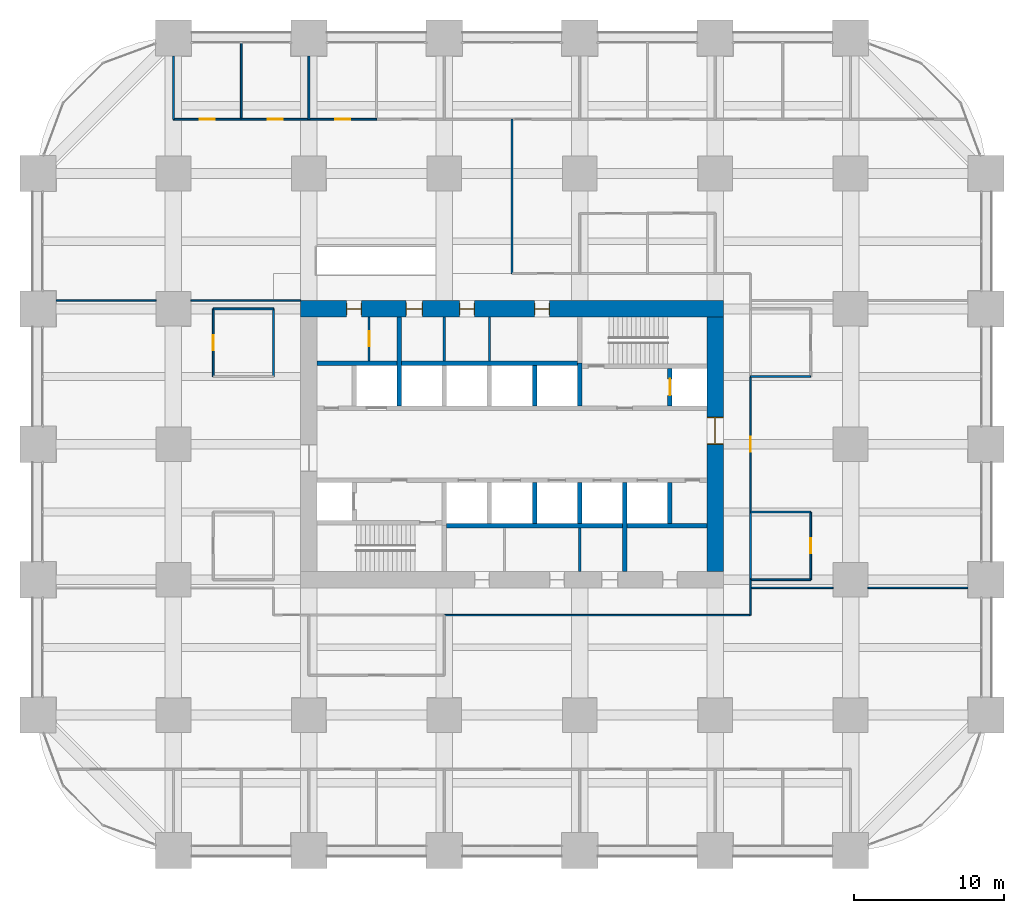
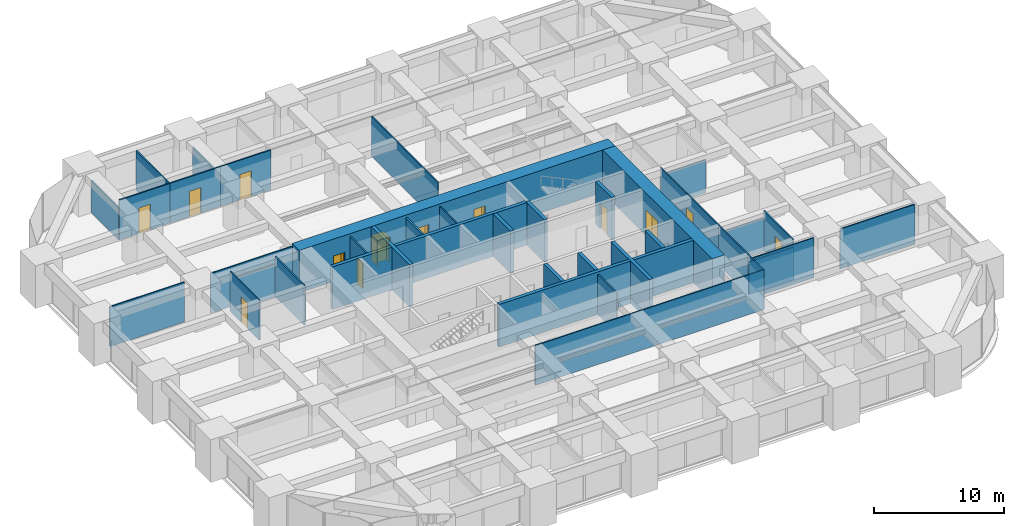
# One storey, part 41 of 44: 38 walls, 13 doors, 13 openings.
"""IFC4 building model written with IfcOpenShell, lengths in metres."""

from ifc_helpers import new_model, si_unit, direction, frame, frame_2d, origin, place, context, subcontext, project, spatial, rectangle, extrude, material, layer, layer_set, type_object, element, fill, save


model = new_model("IFC4")

# Units and contexts
model_context = context("Model", 3, precision=1e-05, world=origin(), true_north=direction((0.0, 1.0)))
body_context = subcontext(model_context, "Body", "Model", "MODEL_VIEW")
ifc_project = project(units=[si_unit("LENGTHUNIT", "METRE"), si_unit("AREAUNIT", "SQUARE_METRE"), si_unit("VOLUMEUNIT", "CUBIC_METRE"), si_unit("PLANEANGLEUNIT", "RADIAN"), si_unit("MASSUNIT", "GRAM", prefix="KILO")], contexts=[model_context])

# Site, building, storey
site_placement = place(None, origin())
site = spatial("IfcSite", under=ifc_project, at=site_placement, CompositionType="ELEMENT")
building_placement = place(site_placement, origin())
building = spatial("IfcBuilding", under=site, at=building_placement, Name="Zorevar Civic Tower", CompositionType="ELEMENT")
storey_placement = place(building_placement, frame((0.0, 0.0, 43.800048828125)))
storey = spatial("IfcBuildingStorey", under=building, at=storey_placement, Name="L10", CompositionType="ELEMENT", Elevation=43.800048828125)

# Wall, openings, doors
ifc_material_1 = material(Name="Concrete C50/60", Category="concrete")
ifc_layer_1 = layer(ifc_material_1, 1.10009765625)
ifc_layer_set_1 = layer_set([ifc_layer_1], Name="Core wall 1100")
wall_type_1 = type_object("IfcWallType", Name="Core wall 1100", PredefinedType="SHEAR", material=ifc_layer_set_1)
wall_1_placement = place(storey_placement, frame((45.550048828125, 36.0, 0.0), z_axis=(0.0, 0.0, 1.0), x_axis=(-1.0, 0.0, 0.0)))
wall_1 = element("IfcWall", 1, at=wall_1_placement, inside=storey, type_object=wall_type_1, Name="Core wall N L10", PredefinedType="SHEAR", context=body_context, shape_type="SweptSolid", body=[
    extrude(rectangle(XDim=28.10009765625, YDim=1.10009765625, at=frame_2d((14.050048828125, 0.0))), origin(), (0.0, 0.0, 1.0), 4.0),
])
opening_1_placement = place(wall_1_placement, frame((11.550048828125, 0.0, 0.0)))
opening_1 = element("IfcOpeningElement", 2, at=opening_1_placement, cuts=wall_1, Name="Opening L10.07", PredefinedType="OPENING", context=body_context, shape_type="SweptSolid", body=[
    extrude(rectangle(XDim=1.0, YDim=2.39990234375, at=frame_2d((0.5, 1.199951171875))), frame((0.0, 0.56005859375, 0.0), z_axis=(0.0, -1.0, 0.0), x_axis=(1.0, 0.0, 0.0)), (0.0, 0.0, 1.0), 1.1201171875),
])
opening_2_placement = place(wall_1_placement, frame((16.550048828125, 0.0, 0.0)))
opening_2 = element("IfcOpeningElement", 3, at=opening_2_placement, cuts=wall_1, Name="Opening L10.08", PredefinedType="OPENING", context=body_context, shape_type="SweptSolid", body=[
    extrude(rectangle(XDim=1.0, YDim=2.39990234375, at=frame_2d((0.5, 1.199951171875))), frame((0.0, 0.56005859375, 0.0), z_axis=(0.0, -1.0, 0.0), x_axis=(1.0, 0.0, 0.0)), (0.0, 0.0, 1.0), 1.1201171875),
])
opening_3_placement = place(wall_1_placement, frame((20.0, 0.0, 0.0)))
opening_3 = element("IfcOpeningElement", 4, at=opening_3_placement, cuts=wall_1, Name="Opening L10.09", PredefinedType="OPENING", context=body_context, shape_type="SweptSolid", body=[
    extrude(rectangle(XDim=1.10009765625, YDim=2.39990234375, at=frame_2d((0.550048828125, 1.199951171875))), frame((0.0, 0.56005859375, 0.0), z_axis=(0.0, -1.0, 0.0), x_axis=(1.0, 0.0, 0.0)), (0.0, 0.0, 1.0), 1.1201171875),
])
opening_4_placement = place(wall_1_placement, frame((24.050048828125, 0.0, 0.0)))
opening_4 = element("IfcOpeningElement", 5, at=opening_4_placement, cuts=wall_1, Name="Opening L10.10", PredefinedType="OPENING", context=body_context, shape_type="SweptSolid", body=[
    extrude(rectangle(XDim=1.0, YDim=2.39990234375, at=frame_2d((0.5, 1.199951171875))), frame((0.0, 0.56005859375, 0.0), z_axis=(0.0, -1.0, 0.0), x_axis=(1.0, 0.0, 0.0)), (0.0, 0.0, 1.0), 1.1201171875),
])
ifc_material_2 = material(Name="Timber door set", Category="wood")
door_type_1 = type_object("IfcDoorType", Name="Door D1 1000x2400", OperationType="SINGLE_SWING_LEFT", PredefinedType="DOOR", material=ifc_material_2)
door_1_placement = place(opening_1_placement, origin())
door_1 = element("IfcDoor", 6, at=door_1_placement, inside=storey, type_object=door_type_1, Name="Door L10 06", OperationType="SINGLE_SWING_RIGHT", OverallHeight=2.39990234375, OverallWidth=1.0, PredefinedType="DOOR", context=body_context, shape_type="SweptSolid", body=[
    extrude(rectangle(XDim=1.0, YDim=2.39990234375, at=frame_2d((0.5, 1.199951171875))), frame((0.0, 0.02490234375, 0.0), z_axis=(0.0, -1.0, 0.0), x_axis=(1.0, 0.0, 0.0)), (0.0, 0.0, 1.0), 0.050048828125),
    extrude(rectangle(XDim=0.04, YDim=2.39990234375, at=frame_2d((0.02001953125, 1.199951171875))), frame((0.0, 0.39990234375, 0.0), z_axis=(0.0, -1.0, 0.0), x_axis=(1.0, 0.0, 0.0)), (0.0, 0.0, 1.0), 0.800048828125),
    extrude(rectangle(XDim=0.04, YDim=2.39990234375, at=frame_2d((0.97998046875, 1.199951171875))), frame((0.0, 0.39990234375, 0.0), z_axis=(0.0, -1.0, 0.0), x_axis=(1.0, 0.0, 0.0)), (0.0, 0.0, 1.0), 0.800048828125),
    extrude(rectangle(XDim=1.0, YDim=0.04, at=frame_2d((0.5, 2.3798828125))), frame((0.0, 0.39990234375, 0.0), z_axis=(0.0, -1.0, 0.0), x_axis=(1.0, 0.0, 0.0)), (0.0, 0.0, 1.0), 0.800048828125),
])
fill(opening_1, door_1)
door_2_placement = place(opening_2_placement, origin())
door_2 = element("IfcDoor", 7, at=door_2_placement, inside=storey, type_object=door_type_1, Name="Door L10 07", OperationType="SINGLE_SWING_LEFT", OverallHeight=2.39990234375, OverallWidth=1.0, PredefinedType="DOOR", context=body_context, shape_type="SweptSolid", body=[
    extrude(rectangle(XDim=1.0, YDim=2.39990234375, at=frame_2d((0.5, 1.199951171875))), frame((0.0, 0.02490234375, 0.0), z_axis=(0.0, -1.0, 0.0), x_axis=(1.0, 0.0, 0.0)), (0.0, 0.0, 1.0), 0.050048828125),
    extrude(rectangle(XDim=0.04, YDim=2.39990234375, at=frame_2d((0.02001953125, 1.199951171875))), frame((0.0, 0.39990234375, 0.0), z_axis=(0.0, -1.0, 0.0), x_axis=(1.0, 0.0, 0.0)), (0.0, 0.0, 1.0), 0.800048828125),
    extrude(rectangle(XDim=0.04, YDim=2.39990234375, at=frame_2d((0.97998046875, 1.199951171875))), frame((0.0, 0.39990234375, 0.0), z_axis=(0.0, -1.0, 0.0), x_axis=(1.0, 0.0, 0.0)), (0.0, 0.0, 1.0), 0.800048828125),
    extrude(rectangle(XDim=1.0, YDim=0.04, at=frame_2d((0.5, 2.3798828125))), frame((0.0, 0.39990234375, 0.0), z_axis=(0.0, -1.0, 0.0), x_axis=(1.0, 0.0, 0.0)), (0.0, 0.0, 1.0), 0.800048828125),
])
fill(opening_2, door_2)
door_3_placement = place(opening_4_placement, origin())
door_3 = element("IfcDoor", 8, at=door_3_placement, inside=storey, type_object=door_type_1, Name="Door L10 09", OperationType="SINGLE_SWING_LEFT", OverallHeight=2.39990234375, OverallWidth=1.0, PredefinedType="DOOR", context=body_context, shape_type="SweptSolid", body=[
    extrude(rectangle(XDim=1.0, YDim=2.39990234375, at=frame_2d((0.5, 1.199951171875))), frame((0.0, 0.02490234375, 0.0), z_axis=(0.0, -1.0, 0.0), x_axis=(1.0, 0.0, 0.0)), (0.0, 0.0, 1.0), 0.050048828125),
    extrude(rectangle(XDim=0.04, YDim=2.39990234375, at=frame_2d((0.02001953125, 1.199951171875))), frame((0.0, 0.39990234375, 0.0), z_axis=(0.0, -1.0, 0.0), x_axis=(1.0, 0.0, 0.0)), (0.0, 0.0, 1.0), 0.800048828125),
    extrude(rectangle(XDim=0.04, YDim=2.39990234375, at=frame_2d((0.97998046875, 1.199951171875))), frame((0.0, 0.39990234375, 0.0), z_axis=(0.0, -1.0, 0.0), x_axis=(1.0, 0.0, 0.0)), (0.0, 0.0, 1.0), 0.800048828125),
    extrude(rectangle(XDim=1.0, YDim=0.04, at=frame_2d((0.5, 2.3798828125))), frame((0.0, 0.39990234375, 0.0), z_axis=(0.0, -1.0, 0.0), x_axis=(1.0, 0.0, 0.0)), (0.0, 0.0, 1.0), 0.800048828125),
])
fill(opening_4, door_3)
ifc_material_3 = material(Name="Timber door set", Category="wood")
door_type_2 = type_object("IfcDoorType", Name="Door D5 1100x2400", OperationType="SINGLE_SWING_LEFT", PredefinedType="DOOR", material=ifc_material_3)
door_4_placement = place(opening_3_placement, origin())
door_4 = element("IfcDoor", 9, at=door_4_placement, inside=storey, type_object=door_type_2, Name="Door L10 08", OperationType="SINGLE_SWING_LEFT", OverallHeight=2.39990234375, OverallWidth=1.10009765625, PredefinedType="DOOR", context=body_context, shape_type="SweptSolid", body=[
    extrude(rectangle(XDim=1.10009765625, YDim=2.39990234375, at=frame_2d((0.550048828125, 1.199951171875))), frame((0.0, 0.02490234375, 0.0), z_axis=(0.0, -1.0, 0.0), x_axis=(1.0, 0.0, 0.0)), (0.0, 0.0, 1.0), 0.050048828125),
    extrude(rectangle(XDim=0.04, YDim=2.39990234375, at=frame_2d((0.02001953125, 1.199951171875))), frame((0.0, 0.43994140625, 0.0), z_axis=(0.0, -1.0, 0.0), x_axis=(1.0, 0.0, 0.0)), (0.0, 0.0, 1.0), 0.880126953125),
    extrude(rectangle(XDim=0.04, YDim=2.39990234375, at=frame_2d((1.080078125, 1.199951171875))), frame((0.0, 0.43994140625, 0.0), z_axis=(0.0, -1.0, 0.0), x_axis=(1.0, 0.0, 0.0)), (0.0, 0.0, 1.0), 0.880126953125),
    extrude(rectangle(XDim=1.10009765625, YDim=0.04, at=frame_2d((0.550048828125, 2.3798828125))), frame((0.0, 0.43994140625, 0.0), z_axis=(0.0, -1.0, 0.0), x_axis=(1.0, 0.0, 0.0)), (0.0, 0.0, 1.0), 0.880126953125),
])
fill(opening_3, door_4)

# Wall, opening, door
wall_2_placement = place(storey_placement, frame((45.0, 18.550048828125, 0.0), z_axis=(0.0, 0.0, 1.0), x_axis=(0.0, 1.0, 0.0)))
wall_2 = element("IfcWall", 10, at=wall_2_placement, inside=storey, type_object=wall_type_1, Name="Core wall E L10", PredefinedType="SHEAR", context=body_context, shape_type="SweptSolid", body=[
    extrude(rectangle(XDim=16.89990234375, YDim=1.10009765625, at=frame_2d((8.449951171875, 0.0))), origin(), (0.0, 0.0, 1.0), 4.0),
])
opening_5_placement = place(wall_2_placement, frame((8.449951171875, 0.0, 0.0)))
opening_5 = element("IfcOpeningElement", 11, at=opening_5_placement, cuts=wall_2, Name="Opening L10.02", PredefinedType="OPENING", context=body_context, shape_type="SweptSolid", body=[
    extrude(rectangle(XDim=1.800048828125, YDim=2.39990234375, at=frame_2d((0.89990234375, 1.199951171875))), frame((0.0, 0.56005859375, 0.0), z_axis=(0.0, -1.0, 0.0), x_axis=(1.0, 0.0, 0.0)), (0.0, 0.0, 1.0), 1.1201171875),
])
ifc_material_4 = material(Name="Steel door set", Category="steel")
door_type_3 = type_object("IfcDoorType", Name="Fire door FD2 1800x2400", OperationType="DOUBLE_DOOR_DOUBLE_SWING", PredefinedType="DOOR", material=ifc_material_4)
door_5_placement = place(opening_5_placement, origin())
door_5 = element("IfcDoor", 12, at=door_5_placement, inside=storey, type_object=door_type_3, Name="Door L10 01", OperationType="DOUBLE_DOOR_DOUBLE_SWING", OverallHeight=2.39990234375, OverallWidth=1.800048828125, PredefinedType="DOOR", context=body_context, shape_type="SweptSolid", body=[
    extrude(rectangle(XDim=1.800048828125, YDim=2.39990234375, at=frame_2d((0.89990234375, 1.199951171875))), frame((0.0, 0.030029296875, 0.0), z_axis=(0.0, -1.0, 0.0), x_axis=(1.0, 0.0, 0.0)), (0.0, 0.0, 1.0), 0.06005859375),
    extrude(rectangle(XDim=0.04, YDim=2.39990234375, at=frame_2d((0.02001953125, 1.199951171875))), frame((0.0, 0.5498046875, 0.0), z_axis=(0.0, -1.0, 0.0), x_axis=(1.0, 0.0, 0.0)), (0.0, 0.0, 1.0), 1.099609375),
    extrude(rectangle(XDim=0.04, YDim=2.39990234375, at=frame_2d((1.780029296875, 1.199951171875))), frame((0.0, 0.5498046875, 0.0), z_axis=(0.0, -1.0, 0.0), x_axis=(1.0, 0.0, 0.0)), (0.0, 0.0, 1.0), 1.099609375),
    extrude(rectangle(XDim=1.800048828125, YDim=0.04, at=frame_2d((0.89990234375, 2.3798828125))), frame((0.0, 0.5498046875, 0.0), z_axis=(0.0, -1.0, 0.0), x_axis=(1.0, 0.0, 0.0)), (0.0, 0.0, 1.0), 1.099609375),
])
fill(opening_5, door_5)

# Walls
ifc_material_5 = material(Name="Laminated glass in black aluminium frame", Category="aluminium")
ifc_layer_2 = layer(ifc_material_5, 0.10009765625)
ifc_layer_set_2 = layer_set([ifc_layer_2], Name="Glazed partition 100")
wall_type_2 = type_object("IfcWallType", Name="Glazed partition 100", PredefinedType="PARTITIONING", material=ifc_layer_set_2)
wall_3_placement = place(storey_placement, frame((27.0, 15.64990234375, 0.0), z_axis=(0.0, 0.0, 1.0), x_axis=(1.0, 0.0, 0.0)))
element("IfcWall", 13, at=wall_3_placement, inside=storey, type_object=wall_type_2, Name="Glazed partition 100 L10", PredefinedType="PARTITIONING", context=body_context, shape_type="SweptSolid", body=[
    extrude(rectangle(XDim=20.35009765625, YDim=0.10009765625, at=frame_2d((10.175048828125, 0.0))), origin(), (0.0, 0.0, 1.0), 3.75),
])
wall_4_placement = place(storey_placement, frame((47.35009765625, 17.449951171875, 0.0), z_axis=(0.0, 0.0, 1.0), x_axis=(1.0, 0.0, 0.0)))
element("IfcWall", 14, at=wall_4_placement, inside=storey, type_object=wall_type_2, Name="Glazed partition 100 L10", PredefinedType="PARTITIONING", context=body_context, shape_type="SweptSolid", body=[
    extrude(rectangle(XDim=5.5, YDim=0.10009765625, at=frame_2d((2.75, 0.0))), origin(), (0.0, 0.0, 1.0), 3.75),
])
for number, where, z_axis, x_axis, name in (
    (15, (55.14990234375, 17.449951171875, 0.0), (0.0, 0.0, 1.0), (1.0, 0.0, 0.0), "Glazed partition 100 L10"),
    (16, (1.199951171875, 36.550048828125, 0.0), (0.0, 0.0, 1.0), (1.0, 0.0, 0.0), "Glazed partition 100 L10"),
):
    element("IfcWall", number, at=place(storey_placement, frame(where, z_axis=z_axis, x_axis=x_axis)), inside=storey, type_object=wall_type_2, Name=name, PredefinedType="PARTITIONING", context=body_context, shape_type="SweptSolid", body=[
        extrude(rectangle(XDim=6.650146484375, YDim=0.10009765625, at=frame_2d((3.3251953125, 0.0))), origin(), (0.0, 0.0, 1.0), 3.75),
    ])
wall_5_placement = place(storey_placement, frame((10.14990234375, 36.550048828125, 0.0), z_axis=(0.0, 0.0, 1.0), x_axis=(1.0, 0.0, 0.0)))
element("IfcWall", 17, at=wall_5_placement, inside=storey, type_object=wall_type_2, Name="Glazed partition 100 L10", PredefinedType="PARTITIONING", context=body_context, shape_type="SweptSolid", body=[
    extrude(rectangle(XDim=7.300048828125, YDim=0.10009765625, at=frame_2d((3.64990234375, 0.0))), origin(), (0.0, 0.0, 1.0), 3.75),
])
wall_6_placement = place(storey_placement, frame((31.5, 38.35009765625, 0.0), z_axis=(0.0, 0.0, 1.0), x_axis=(0.0, 1.0, 0.0)))
element("IfcWall", 18, at=wall_6_placement, inside=storey, type_object=wall_type_2, Name="Glazed partition 100 L10", PredefinedType="PARTITIONING", context=body_context, shape_type="SweptSolid", body=[
    extrude(rectangle(XDim=10.260009765625, YDim=0.10009765625, at=frame_2d((5.1298828125, 0.0))), origin(), (0.0, 0.0, 1.0), 3.75),
])
wall_7_placement = place(storey_placement, frame((47.35009765625, 15.64990234375, 0.0), z_axis=(0.0, 0.0, 1.0), x_axis=(0.0, 1.0, 0.0)))
element("IfcWall", 19, at=wall_7_placement, inside=storey, type_object=wall_type_2, Name="Glazed partition 100 L10", PredefinedType="PARTITIONING", context=body_context, shape_type="SweptSolid", body=[
    extrude(rectangle(XDim=2.35009765625, YDim=0.10009765625, at=frame_2d((1.175048828125, 0.0))), origin(), (0.0, 0.0, 1.0), 3.75),
])

# Wall, opening, door
wall_8_placement = place(storey_placement, frame((47.35009765625, 22.5, 0.0), z_axis=(0.0, 0.0, 1.0), x_axis=(0.0, 1.0, 0.0)))
wall_8 = element("IfcWall", 20, at=wall_8_placement, inside=storey, type_object=wall_type_2, Name="Glazed partition 100 L10", PredefinedType="PARTITIONING", context=body_context, shape_type="SweptSolid", body=[
    extrude(rectangle(XDim=9.0, YDim=0.10009765625, at=frame_2d((4.5, 0.0))), origin(), (0.0, 0.0, 1.0), 3.75),
])
opening_6_placement = place(wall_8_placement, frame((4.0, 0.0, 0.0)))
opening_6 = element("IfcOpeningElement", 21, at=opening_6_placement, cuts=wall_8, Name="Opening L10.44", PredefinedType="OPENING", context=body_context, shape_type="SweptSolid", body=[
    extrude(rectangle(XDim=1.0, YDim=2.39990234375, at=frame_2d((0.5, 1.199951171875))), frame((0.0, 0.06005859375, 0.0), z_axis=(0.0, -1.0, 0.0), x_axis=(1.0, 0.0, 0.0)), (0.0, 0.0, 1.0), 0.1201171875),
])
ifc_material_6 = material(Name="Timber door set", Category="wood")
door_type_4 = type_object("IfcDoorType", Name="Glazed door GD1 1000x2400", OperationType="SINGLE_SWING_LEFT", PredefinedType="DOOR", material=ifc_material_6)
door_6_placement = place(opening_6_placement, origin())
door_6 = element("IfcDoor", 22, at=door_6_placement, inside=storey, type_object=door_type_4, Name="Door L10 D1", OperationType="SINGLE_SWING_RIGHT", OverallHeight=2.39990234375, OverallWidth=1.0, PredefinedType="DOOR", context=body_context, shape_type="SweptSolid", body=[
    extrude(rectangle(XDim=1.0, YDim=2.39990234375, at=frame_2d((0.5, 1.199951171875))), frame((0.0, 0.02001953125, 0.0), z_axis=(0.0, -1.0, 0.0), x_axis=(1.0, 0.0, 0.0)), (0.0, 0.0, 1.0), 0.0400390625),
])
fill(opening_6, door_6)

ifc_material_7 = material(Name="Concrete C40/50", Category="concrete")
ifc_layer_3 = layer(ifc_material_7, 0.300048828125)
ifc_layer_set_3 = layer_set([ifc_layer_3], Name="Inner core wall 300")
wall_type_3 = type_object("IfcWallType", Name="Inner core wall 300", PredefinedType="SHEAR", material=ifc_layer_set_3)
wall_9_placement = place(storey_placement, frame((42.0, 29.550048828125, 0.0), z_axis=(0.0, 0.0, 1.0), x_axis=(0.0, 1.0, 0.0)))
wall_9 = element("IfcWall", 23, at=wall_9_placement, inside=storey, type_object=wall_type_3, Name="Inner core wall N02 L10", PredefinedType="SHEAR", context=body_context, shape_type="SweptSolid", body=[
    extrude(rectangle(XDim=2.5, YDim=0.300048828125, at=frame_2d((1.25, 0.0))), origin(), (0.0, 0.0, 1.0), 4.0),
])
opening_7_placement = place(wall_9_placement, frame((0.699951171875, 0.0, 0.0)))
opening_7 = element("IfcOpeningElement", 24, at=opening_7_placement, cuts=wall_9, Name="Opening L10.FL2", PredefinedType="OPENING", context=body_context, shape_type="SweptSolid", body=[
    extrude(rectangle(XDim=1.10009765625, YDim=2.39990234375, at=frame_2d((0.550048828125, 1.199951171875))), frame((0.0, 0.159912109375, 0.0), z_axis=(0.0, -1.0, 0.0), x_axis=(1.0, 0.0, 0.0)), (0.0, 0.0, 1.0), 0.320068359375),
])
ifc_material_8 = material(Name="Steel door set", Category="steel")
door_type_5 = type_object("IfcDoorType", Name="Firefighting lift landing door LD3 1100x2400", OperationType="DOUBLE_DOOR_SLIDING", PredefinedType="DOOR", material=ifc_material_8)
door_7_placement = place(opening_7_placement, origin())
door_7 = element("IfcDoor", 25, at=door_7_placement, inside=storey, type_object=door_type_5, Name="Landing door FL2 L10", OperationType="DOUBLE_DOOR_SLIDING", OverallHeight=2.39990234375, OverallWidth=1.10009765625, PredefinedType="DOOR", context=body_context, shape_type="SweptSolid", body=[
    extrude(rectangle(XDim=1.10009765625, YDim=2.39990234375, at=frame_2d((0.550048828125, 1.199951171875))), frame((0.0, 0.030029296875, 0.0), z_axis=(0.0, -1.0, 0.0), x_axis=(1.0, 0.0, 0.0)), (0.0, 0.0, 1.0), 0.06005859375),
])
fill(opening_7, door_7)

# Walls
for number, where, z_axis, x_axis, name in (
    (26, (27.14990234375, 21.60009765625, 0.0), (0.0, 0.0, 1.0), (1.0, 0.0, 0.0), "Inner core wall S04 L10"),
    (27, (18.550048828125, 32.39990234375, 0.0), (0.0, 0.0, 1.0), (1.0, 0.0, 0.0), "Inner core wall N04 L10"),
):
    element("IfcWall", number, at=place(storey_placement, frame(where, z_axis=z_axis, x_axis=x_axis)), inside=storey, type_object=wall_type_3, Name=name, PredefinedType="SHEAR", context=body_context, shape_type="SweptSolid", body=[
        extrude(rectangle(XDim=17.300048828125, YDim=0.300048828125, at=frame_2d((8.64990234375, 0.0))), origin(), (0.0, 0.0, 1.0), 4.0),
    ])
for number, where, z_axis, x_axis, name in (
    (28, (33.0, 29.550048828125, 0.0), (0.0, 0.0, 1.0), (0.0, 1.0, 0.0), "Inner core wall N05 L10"),
    (29, (33.0, 21.75, 0.0), (0.0, 0.0, 1.0), (0.0, 1.0, 0.0), "Inner core wall S06 L10"),
    (30, (36.0, 21.75, 0.0), (0.0, 0.0, 1.0), (0.0, 1.0, 0.0), "Inner core wall S07 L10"),
):
    element("IfcWall", number, at=place(storey_placement, frame(where, z_axis=z_axis, x_axis=x_axis)), inside=storey, type_object=wall_type_3, Name=name, PredefinedType="SHEAR", context=body_context, shape_type="SweptSolid", body=[
        extrude(rectangle(XDim=2.699951171875, YDim=0.300048828125, at=frame_2d((1.35009765625, 0.0))), origin(), (0.0, 0.0, 1.0), 4.0),
    ])
for number, where, z_axis, x_axis, name in (
    (31, (39.0, 18.550048828125, 0.0), (0.0, 0.0, 1.0), (0.0, 1.0, 0.0), "Inner core wall S08 L10"),
    (32, (24.0, 29.550048828125, 0.0), (0.0, 0.0, 1.0), (0.0, 1.0, 0.0), "Inner core wall N08 L10"),
):
    element("IfcWall", number, at=place(storey_placement, frame(where, z_axis=z_axis, x_axis=x_axis)), inside=storey, type_object=wall_type_3, Name=name, PredefinedType="SHEAR", context=body_context, shape_type="SweptSolid", body=[
        extrude(rectangle(XDim=5.89990234375, YDim=0.300048828125, at=frame_2d((2.949951171875, 0.0))), origin(), (0.0, 0.0, 1.0), 4.0),
    ])
wall_10_placement = place(storey_placement, frame((42.0, 21.75, 0.0), z_axis=(0.0, 0.0, 1.0), x_axis=(0.0, 1.0, 0.0)))
element("IfcWall", 33, at=wall_10_placement, inside=storey, type_object=wall_type_3, Name="Inner core wall S09 L10", PredefinedType="SHEAR", context=body_context, shape_type="SweptSolid", body=[
    extrude(rectangle(XDim=2.699951171875, YDim=0.300048828125, at=frame_2d((1.35009765625, 0.0))), origin(), (0.0, 0.0, 1.0), 4.0),
])
wall_11_placement = place(storey_placement, frame((36.0, 29.550048828125, 0.0), z_axis=(0.0, 0.0, 1.0), x_axis=(0.0, 1.0, 0.0)))
element("IfcWall", 34, at=wall_11_placement, inside=storey, type_object=wall_type_3, Name="Inner core wall N10 L10", PredefinedType="SHEAR", context=body_context, shape_type="SweptSolid", body=[
    extrude(rectangle(XDim=2.849853515625, YDim=0.300048828125, at=frame_2d((1.4248046875, 0.0))), origin(), (0.0, 0.0, 1.0), 4.0),
])
ifc_material_9 = material(Name="Gypsum board on steel studs", Category="steel")
ifc_layer_4 = layer(ifc_material_9, 0.1201171875)
ifc_layer_set_4 = layer_set([ifc_layer_4], Name="Partition 120")
wall_type_4 = type_object("IfcWallType", Name="Partition 120", PredefinedType="PARTITIONING", material=ifc_layer_set_4)
wall_12_placement = place(storey_placement, frame((47.35009765625, 18.0, 0.0), z_axis=(0.0, 0.0, 1.0), x_axis=(1.0, 0.0, 0.0)))
element("IfcWall", 35, at=wall_12_placement, inside=storey, type_object=wall_type_4, Name="Partition 120 L10", PredefinedType="PARTITIONING", context=body_context, shape_type="SweptSolid", body=[
    extrude(rectangle(XDim=4.0, YDim=0.1201171875, at=frame_2d((2.0, 0.0))), origin(), (0.0, 0.0, 1.0), 3.050048828125),
])
for number, where, z_axis, x_axis, name in (
    (36, (47.35009765625, 22.5, 0.0), (0.0, 0.0, 1.0), (1.0, 0.0, 0.0), "Partition 120 L10"),
    (37, (47.35009765625, 31.5, 0.0), (0.0, 0.0, 1.0), (1.0, 0.0, 0.0), "Partition 120 L10"),
):
    element("IfcWall", number, at=place(storey_placement, frame(where, z_axis=z_axis, x_axis=x_axis)), inside=storey, type_object=wall_type_4, Name=name, PredefinedType="PARTITIONING", context=body_context, shape_type="SweptSolid", body=[
        extrude(rectangle(XDim=4.0, YDim=0.1201171875, at=frame_2d((2.0, 0.0))), origin(), (0.0, 0.0, 1.0), 3.099853515625),
    ])
wall_13_placement = place(storey_placement, frame((11.64990234375, 36.0, 0.0), z_axis=(0.0, 0.0, 1.0), x_axis=(1.0, 0.0, 0.0)))
element("IfcWall", 38, at=wall_13_placement, inside=storey, type_object=wall_type_4, Name="Partition 120 L10", PredefinedType="PARTITIONING", context=body_context, shape_type="SweptSolid", body=[
    extrude(rectangle(XDim=4.0, YDim=0.1201171875, at=frame_2d((2.0, 0.0))), origin(), (0.0, 0.0, 1.0), 3.050048828125),
])

# Wall, opening, door
wall_14_placement = place(storey_placement, frame((9.0, 48.60009765625, 0.0), z_axis=(0.0, 0.0, 1.0), x_axis=(1.0, 0.0, 0.0)))
wall_14 = element("IfcWall", 39, at=wall_14_placement, inside=storey, type_object=wall_type_4, Name="Partition 120 L10", PredefinedType="PARTITIONING", context=body_context, shape_type="SweptSolid", body=[
    extrude(rectangle(XDim=4.5, YDim=0.1201171875, at=frame_2d((2.25, 0.0))), origin(), (0.0, 0.0, 1.0), 3.75),
])
opening_8_placement = place(wall_14_placement, frame((1.75, 0.0, 0.0)))
opening_8 = element("IfcOpeningElement", 40, at=opening_8_placement, cuts=wall_14, Name="Opening L10.32", PredefinedType="OPENING", context=body_context, shape_type="SweptSolid", body=[
    extrude(rectangle(XDim=1.0, YDim=2.39990234375, at=frame_2d((0.5, 1.199951171875))), frame((0.0, 0.070068359375, 0.0), z_axis=(0.0, -1.0, 0.0), x_axis=(1.0, 0.0, 0.0)), (0.0, 0.0, 1.0), 0.14013671875),
])
door_8_placement = place(opening_8_placement, origin())
door_8 = element("IfcDoor", 41, at=door_8_placement, inside=storey, type_object=door_type_1, Name="Door L10 D1", OperationType="SINGLE_SWING_LEFT", OverallHeight=2.39990234375, OverallWidth=1.0, PredefinedType="DOOR", context=body_context, shape_type="SweptSolid", body=[
    extrude(rectangle(XDim=1.0, YDim=2.39990234375, at=frame_2d((0.5, 1.199951171875))), frame((0.0, 0.02490234375, 0.0), z_axis=(0.0, -1.0, 0.0), x_axis=(1.0, 0.0, 0.0)), (0.0, 0.0, 1.0), 0.050048828125),
])
fill(opening_8, door_8)

wall_15_placement = place(storey_placement, frame((13.5, 48.60009765625, 0.0), z_axis=(0.0, 0.0, 1.0), x_axis=(1.0, 0.0, 0.0)))
wall_15 = element("IfcWall", 42, at=wall_15_placement, inside=storey, type_object=wall_type_4, Name="Partition 120 L10", PredefinedType="PARTITIONING", context=body_context, shape_type="SweptSolid", body=[
    extrude(rectangle(XDim=4.5, YDim=0.1201171875, at=frame_2d((2.25, 0.0))), origin(), (0.0, 0.0, 1.0), 3.75),
])
opening_9_placement = place(wall_15_placement, frame((1.75, 0.0, 0.0)))
opening_9 = element("IfcOpeningElement", 43, at=opening_9_placement, cuts=wall_15, Name="Opening L10.33", PredefinedType="OPENING", context=body_context, shape_type="SweptSolid", body=[
    extrude(rectangle(XDim=1.0, YDim=2.39990234375, at=frame_2d((0.5, 1.199951171875))), frame((0.0, 0.070068359375, 0.0), z_axis=(0.0, -1.0, 0.0), x_axis=(1.0, 0.0, 0.0)), (0.0, 0.0, 1.0), 0.14013671875),
])
door_9_placement = place(opening_9_placement, origin())
door_9 = element("IfcDoor", 44, at=door_9_placement, inside=storey, type_object=door_type_1, Name="Door L10 D1", OperationType="SINGLE_SWING_LEFT", OverallHeight=2.39990234375, OverallWidth=1.0, PredefinedType="DOOR", context=body_context, shape_type="SweptSolid", body=[
    extrude(rectangle(XDim=1.0, YDim=2.39990234375, at=frame_2d((0.5, 1.199951171875))), frame((0.0, 0.02490234375, 0.0), z_axis=(0.0, -1.0, 0.0), x_axis=(1.0, 0.0, 0.0)), (0.0, 0.0, 1.0), 0.050048828125),
])
fill(opening_9, door_9)

wall_16_placement = place(storey_placement, frame((18.0, 48.60009765625, 0.0), z_axis=(0.0, 0.0, 1.0), x_axis=(1.0, 0.0, 0.0)))
wall_16 = element("IfcWall", 45, at=wall_16_placement, inside=storey, type_object=wall_type_4, Name="Partition 120 L10", PredefinedType="PARTITIONING", context=body_context, shape_type="SweptSolid", body=[
    extrude(rectangle(XDim=4.5, YDim=0.1201171875, at=frame_2d((2.25, 0.0))), origin(), (0.0, 0.0, 1.0), 3.75),
])
opening_10_placement = place(wall_16_placement, frame((1.75, 0.0, 0.0)))
opening_10 = element("IfcOpeningElement", 46, at=opening_10_placement, cuts=wall_16, Name="Opening L10.34", PredefinedType="OPENING", context=body_context, shape_type="SweptSolid", body=[
    extrude(rectangle(XDim=1.0, YDim=2.39990234375, at=frame_2d((0.5, 1.199951171875))), frame((0.0, 0.070068359375, 0.0), z_axis=(0.0, -1.0, 0.0), x_axis=(1.0, 0.0, 0.0)), (0.0, 0.0, 1.0), 0.14013671875),
])
door_10_placement = place(opening_10_placement, origin())
door_10 = element("IfcDoor", 47, at=door_10_placement, inside=storey, type_object=door_type_1, Name="Door L10 D1", OperationType="SINGLE_SWING_RIGHT", OverallHeight=2.39990234375, OverallWidth=1.0, PredefinedType="DOOR", context=body_context, shape_type="SweptSolid", body=[
    extrude(rectangle(XDim=1.0, YDim=2.39990234375, at=frame_2d((0.5, 1.199951171875))), frame((0.0, 0.02490234375, 0.0), z_axis=(0.0, -1.0, 0.0), x_axis=(1.0, 0.0, 0.0)), (0.0, 0.0, 1.0), 0.050048828125),
])
fill(opening_10, door_10)

# Wall
wall_17_placement = place(storey_placement, frame((9.0, 48.60009765625, 0.0), z_axis=(0.0, 0.0, 1.0), x_axis=(0.0, 1.0, 0.0)))
element("IfcWall", 48, at=wall_17_placement, inside=storey, type_object=wall_type_4, Name="Partition 120 L10", PredefinedType="PARTITIONING", context=body_context, shape_type="SweptSolid", body=[
    extrude(rectangle(XDim=4.199951171875, YDim=0.1201171875, at=frame_2d((2.10009765625, 0.0))), origin(), (0.0, 0.0, 1.0), 3.050048828125),
])

# Wall, opening, door
wall_18_placement = place(storey_placement, frame((11.64990234375, 31.5, 0.0), z_axis=(0.0, 0.0, 1.0), x_axis=(0.0, 1.0, 0.0)))
wall_18 = element("IfcWall", 49, at=wall_18_placement, inside=storey, type_object=wall_type_4, Name="Partition 120 L10", PredefinedType="PARTITIONING", context=body_context, shape_type="SweptSolid", body=[
    extrude(rectangle(XDim=4.5, YDim=0.1201171875, at=frame_2d((2.25, 0.0))), origin(), (0.0, 0.0, 1.0), 3.75),
])
opening_11_placement = place(wall_18_placement, frame((1.75, 0.0, 0.0)))
opening_11 = element("IfcOpeningElement", 50, at=opening_11_placement, cuts=wall_18, Name="Opening L10.43", PredefinedType="OPENING", context=body_context, shape_type="SweptSolid", body=[
    extrude(rectangle(XDim=1.0, YDim=2.39990234375, at=frame_2d((0.5, 1.199951171875))), frame((0.0, 0.070068359375, 0.0), z_axis=(0.0, -1.0, 0.0), x_axis=(1.0, 0.0, 0.0)), (0.0, 0.0, 1.0), 0.14013671875),
])
door_11_placement = place(opening_11_placement, origin())
door_11 = element("IfcDoor", 51, at=door_11_placement, inside=storey, type_object=door_type_1, Name="Door L10 D1", OperationType="SINGLE_SWING_LEFT", OverallHeight=2.39990234375, OverallWidth=1.0, PredefinedType="DOOR", context=body_context, shape_type="SweptSolid", body=[
    extrude(rectangle(XDim=1.0, YDim=2.39990234375, at=frame_2d((0.5, 1.199951171875))), frame((0.0, 0.02490234375, 0.0), z_axis=(0.0, -1.0, 0.0), x_axis=(1.0, 0.0, 0.0)), (0.0, 0.0, 1.0), 0.050048828125),
])
fill(opening_11, door_11)

# Walls
wall_19_placement = place(storey_placement, frame((13.5, 48.60009765625, 0.0), z_axis=(0.0, 0.0, 1.0), x_axis=(0.0, 1.0, 0.0)))
element("IfcWall", 52, at=wall_19_placement, inside=storey, type_object=wall_type_4, Name="Partition 120 L10", PredefinedType="PARTITIONING", context=body_context, shape_type="SweptSolid", body=[
    extrude(rectangle(XDim=5.08984375, YDim=0.1201171875, at=frame_2d((2.544921875, 0.0))), origin(), (0.0, 0.0, 1.0), 3.75),
])
wall_20_placement = place(storey_placement, frame((15.64990234375, 31.5, 0.0), z_axis=(0.0, 0.0, 1.0), x_axis=(0.0, 1.0, 0.0)))
element("IfcWall", 53, at=wall_20_placement, inside=storey, type_object=wall_type_4, Name="Partition 120 L10", PredefinedType="PARTITIONING", context=body_context, shape_type="SweptSolid", body=[
    extrude(rectangle(XDim=4.5, YDim=0.1201171875, at=frame_2d((2.25, 0.0))), origin(), (0.0, 0.0, 1.0), 3.75),
])
wall_21_placement = place(storey_placement, frame((18.0, 48.60009765625, 0.0), z_axis=(0.0, 0.0, 1.0), x_axis=(0.0, 1.0, 0.0)))
element("IfcWall", 54, at=wall_21_placement, inside=storey, type_object=wall_type_4, Name="Partition 120 L10", PredefinedType="PARTITIONING", context=body_context, shape_type="SweptSolid", body=[
    extrude(rectangle(XDim=4.199951171875, YDim=0.1201171875, at=frame_2d((2.10009765625, 0.0))), origin(), (0.0, 0.0, 1.0), 3.050048828125),
])
wall_22_placement = place(storey_placement, frame((47.35009765625, 18.0, 0.0), z_axis=(0.0, 0.0, 1.0), x_axis=(0.0, 1.0, 0.0)))
element("IfcWall", 55, at=wall_22_placement, inside=storey, type_object=wall_type_4, Name="Partition 120 L10", PredefinedType="PARTITIONING", context=body_context, shape_type="SweptSolid", body=[
    extrude(rectangle(XDim=4.5, YDim=0.1201171875, at=frame_2d((2.25, 0.0))), origin(), (0.0, 0.0, 1.0), 3.75),
])

# Wall, opening, door
wall_23_placement = place(storey_placement, frame((51.35009765625, 18.0, 0.0), z_axis=(0.0, 0.0, 1.0), x_axis=(0.0, 1.0, 0.0)))
wall_23 = element("IfcWall", 56, at=wall_23_placement, inside=storey, type_object=wall_type_4, Name="Partition 120 L10", PredefinedType="PARTITIONING", context=body_context, shape_type="SweptSolid", body=[
    extrude(rectangle(XDim=4.5, YDim=0.1201171875, at=frame_2d((2.25, 0.0))), origin(), (0.0, 0.0, 1.0), 3.75),
])
opening_12_placement = place(wall_23_placement, frame((1.75, 0.0, 0.0)))
opening_12 = element("IfcOpeningElement", 57, at=opening_12_placement, cuts=wall_23, Name="Opening L10.46", PredefinedType="OPENING", context=body_context, shape_type="SweptSolid", body=[
    extrude(rectangle(XDim=1.0, YDim=2.39990234375, at=frame_2d((0.5, 1.199951171875))), frame((0.0, 0.070068359375, 0.0), z_axis=(0.0, -1.0, 0.0), x_axis=(1.0, 0.0, 0.0)), (0.0, 0.0, 1.0), 0.14013671875),
])
door_12_placement = place(opening_12_placement, origin())
door_12 = element("IfcDoor", 58, at=door_12_placement, inside=storey, type_object=door_type_1, Name="Door L10 D1", OperationType="SINGLE_SWING_LEFT", OverallHeight=2.39990234375, OverallWidth=1.0, PredefinedType="DOOR", context=body_context, shape_type="SweptSolid", body=[
    extrude(rectangle(XDim=1.0, YDim=2.39990234375, at=frame_2d((0.5, 1.199951171875))), frame((0.0, 0.02490234375, 0.0), z_axis=(0.0, -1.0, 0.0), x_axis=(1.0, 0.0, 0.0)), (0.0, 0.0, 1.0), 0.050048828125),
])
fill(opening_12, door_12)

# Wall
wall_24_placement = place(storey_placement, frame((30.0, 32.550048828125, 0.0), z_axis=(0.0, 0.0, 1.0), x_axis=(0.0, 1.0, 0.0)))
element("IfcWall", 59, at=wall_24_placement, inside=storey, type_object=wall_type_4, Name="Partition L10", PredefinedType="PARTITIONING", context=body_context, shape_type="SweptSolid", body=[
    extrude(rectangle(XDim=2.89990234375, YDim=0.1201171875, at=frame_2d((1.449951171875, 0.0))), origin(), (0.0, 0.0, 1.0), 3.75),
])

# Wall, opening, door
wall_25_placement = place(storey_placement, frame((22.0, 32.550048828125, 0.0), z_axis=(0.0, 0.0, 1.0), x_axis=(0.0, 1.0, 0.0)))
wall_25 = element("IfcWall", 60, at=wall_25_placement, inside=storey, type_object=wall_type_4, Name="Partition L10", PredefinedType="PARTITIONING", context=body_context, shape_type="SweptSolid", body=[
    extrude(rectangle(XDim=2.89990234375, YDim=0.1201171875, at=frame_2d((1.449951171875, 0.0))), origin(), (0.0, 0.0, 1.0), 3.75),
])
opening_13_placement = place(wall_25_placement, frame((0.949951171875, 0.0, 0.0)))
opening_13 = element("IfcOpeningElement", 61, at=opening_13_placement, cuts=wall_25, Name="Opening L10.47", PredefinedType="OPENING", context=body_context, shape_type="SweptSolid", body=[
    extrude(rectangle(XDim=1.0, YDim=2.39990234375, at=frame_2d((0.5, 1.199951171875))), frame((0.0, 0.070068359375, 0.0), z_axis=(0.0, -1.0, 0.0), x_axis=(1.0, 0.0, 0.0)), (0.0, 0.0, 1.0), 0.14013671875),
])
ifc_material_10 = material(Name="Steel door set", Category="steel")
door_type_6 = type_object("IfcDoorType", Name="Fire door FD1 1000x2400", OperationType="SINGLE_SWING_LEFT", PredefinedType="DOOR", material=ifc_material_10)
door_13_placement = place(opening_13_placement, origin())
door_13 = element("IfcDoor", 62, at=door_13_placement, inside=storey, type_object=door_type_6, Name="Door L10 EN", OperationType="SINGLE_SWING_RIGHT", OverallHeight=2.39990234375, OverallWidth=1.0, PredefinedType="DOOR", context=body_context, shape_type="SweptSolid", body=[
    extrude(rectangle(XDim=1.0, YDim=2.39990234375, at=frame_2d((0.5, 1.199951171875))), frame((0.0, 0.030029296875, 0.0), z_axis=(0.0, -1.0, 0.0), x_axis=(1.0, 0.0, 0.0)), (0.0, 0.0, 1.0), 0.06005859375),
])
fill(opening_13, door_13)

# Walls
ifc_material_11 = material(Name="Gypsum board on steel studs, moisture resistant", Category="steel")
ifc_layer_5 = layer(ifc_material_11, 0.14990234375)
ifc_layer_set_5 = layer_set([ifc_layer_5], Name="WC partition 150")
wall_type_5 = type_object("IfcWallType", Name="WC partition 150", PredefinedType="PARTITIONING", material=ifc_layer_set_5)
for number, where, z_axis, x_axis, name in (
    (63, (36.0, 18.550048828125, 0.0), (0.0, 0.0, 1.0), (0.0, 1.0, 0.0), "WC partition L10"),
    (64, (27.0, 32.550048828125, 0.0), (0.0, 0.0, 1.0), (0.0, 1.0, 0.0), "WC partition L10"),
):
    element("IfcWall", number, at=place(storey_placement, frame(where, z_axis=z_axis, x_axis=x_axis)), inside=storey, type_object=wall_type_5, Name=name, PredefinedType="PARTITIONING", context=body_context, shape_type="SweptSolid", body=[
        extrude(rectangle(XDim=2.89990234375, YDim=0.14990234375, at=frame_2d((1.449951171875, 0.0))), origin(), (0.0, 0.0, 1.0), 3.75),
    ])

save(model, "model.ifc")
